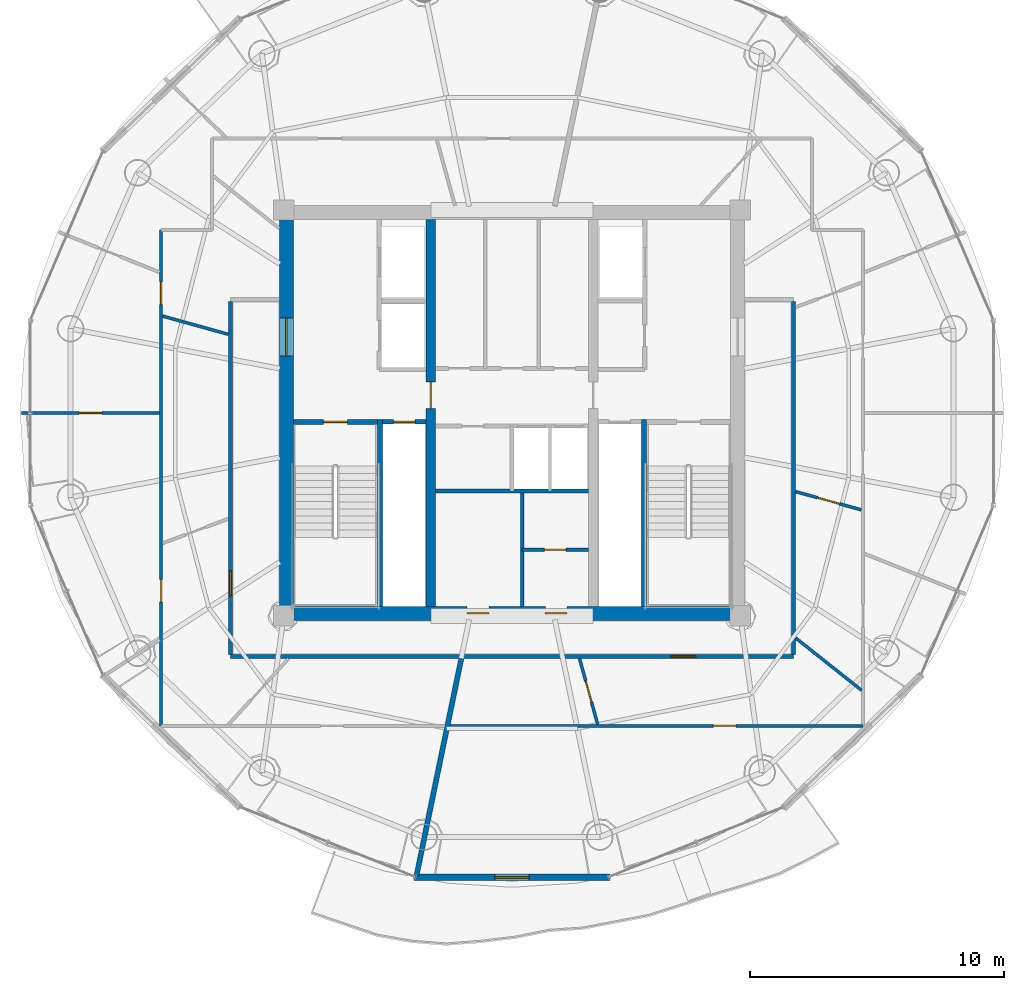
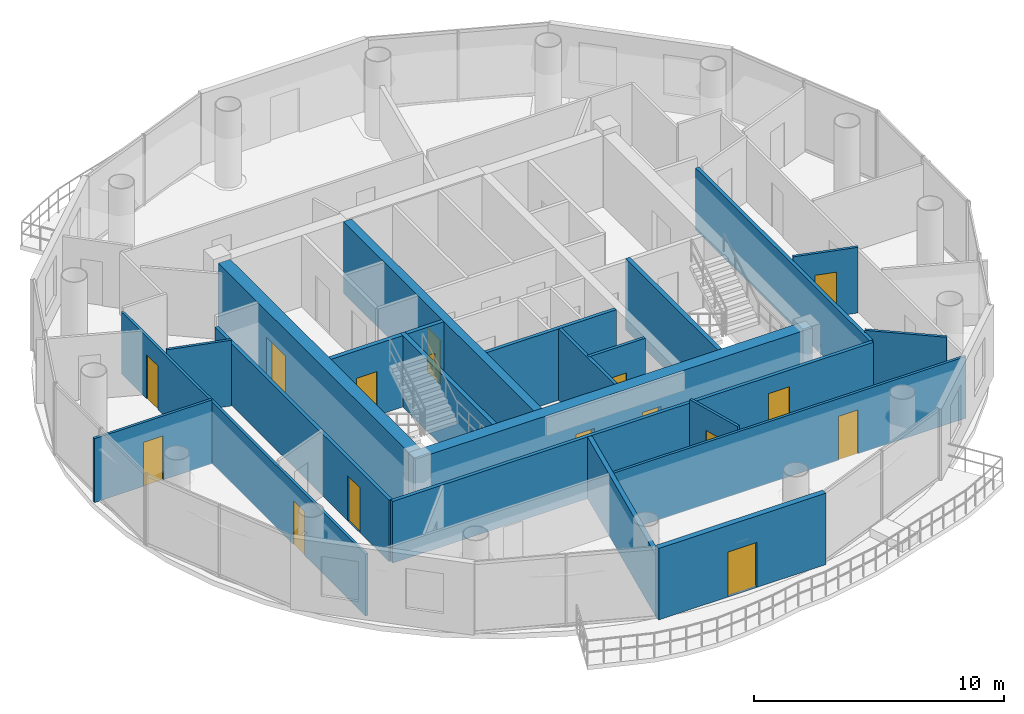
# One storey, part 15 of 22: 22 walls, 16 doors, 16 openings.
"""IFC4 building model written with IfcOpenShell, lengths in metres."""

from ifc_helpers import new_model, si_unit, direction, frame, frame_2d, origin, place, context, subcontext, project, spatial, rectangle, extrude, source, transform, mapped, material, layer, layer_set, type_object, element, fill, save


model = new_model("IFC4")

# Units and contexts
model_context = context("Model", 3, precision=1e-05, world=origin(), true_north=direction((-0.2419218956, 0.970295726276)))
body_context = subcontext(model_context, "Body", "Model", "MODEL_VIEW")
ifc_project = project(units=[si_unit("LENGTHUNIT", "METRE"), si_unit("AREAUNIT", "SQUARE_METRE"), si_unit("VOLUMEUNIT", "CUBIC_METRE"), si_unit("PLANEANGLEUNIT", "RADIAN"), si_unit("MASSUNIT", "GRAM", prefix="KILO")], contexts=[model_context])

# Site, building, storey
site_placement = place(None, origin())
site = spatial("IfcSite", under=ifc_project, at=site_placement, CompositionType="ELEMENT")
building_placement = place(site_placement, origin())
building = spatial("IfcBuilding", under=site, at=building_placement, Name="Cobrevalo Terracotta Tower", CompositionType="ELEMENT")
storey_placement = place(building_placement, frame((0.0, 0.0, 289.449951171875)))
storey = spatial("IfcBuildingStorey", under=building, at=storey_placement, Name="L76", CompositionType="ELEMENT", Elevation=289.449951171875)

# Wall, openings, doors
ifc_material_1 = material(Name="Concrete C50", Category="concrete")
ifc_layer_1 = layer(ifc_material_1, 0.550048828125)
ifc_layer_set_1 = layer_set([ifc_layer_1], Name="Concrete C50")
wall_type_1 = type_object("IfcWallType", Name="Core shear wall 550 mm Concrete C50", PredefinedType="SHEAR", material=ifc_layer_set_1)
wall_1_placement = place(storey_placement, frame((28.824951171875, 18.89990234375, 0.0), z_axis=(0.0, 0.0, 1.0), x_axis=(1.0, 0.0, 0.0)))
wall_1 = element("IfcWall", 1, at=wall_1_placement, inside=storey, type_object=wall_type_1, Name="L76 south core shear wall", PredefinedType="SHEAR", context=body_context, shape_type="SweptSolid", body=[
    extrude(rectangle(XDim=18.35009765625, YDim=0.550048828125, at=frame_2d((9.175048828125, 0.0))), origin(), (0.0, 0.0, 1.0), 3.489990234375),
])
opening_1_placement = place(wall_1_placement, frame((7.409912109375, 0.0, 0.0)))
opening_1 = element("IfcOpeningElement", 2, at=opening_1_placement, cuts=wall_1, Name="Opening ID-22", PredefinedType="OPENING", context=body_context, shape_type="SweptSolid", body=[
    extrude(rectangle(XDim=0.85009765625, YDim=2.10009765625, at=frame_2d((0.425048828125, 1.050048828125))), frame((0.0, 0.28515625, 0.0), z_axis=(0.0, -1.0, 0.0), x_axis=(1.0, 0.0, 0.0)), (0.0, 0.0, 1.0), 0.570068359375),
])
opening_2_placement = place(wall_1_placement, frame((10.489990234375, 0.0, 0.0)))
opening_2 = element("IfcOpeningElement", 3, at=opening_2_placement, cuts=wall_1, Name="Opening ID-22", PredefinedType="OPENING", context=body_context, shape_type="SweptSolid", body=[
    extrude(rectangle(XDim=0.85009765625, YDim=2.10009765625, at=frame_2d((0.425048828125, 1.050048828125))), frame((0.0, 0.28515625, 0.0), z_axis=(0.0, -1.0, 0.0), x_axis=(1.0, 0.0, 0.0)), (0.0, 0.0, 1.0), 0.570068359375),
])
ifc_material_2 = material(Name="Powder-coated steel", Category="steel")
door_type_1 = type_object("IfcDoorType", Name="Riser shaft & meter closet fire access door 850x2100 EI 60", OperationType="NOTDEFINED", PredefinedType="DOOR", material=ifc_material_2)
shared_shape_1 = source(origin(), body_context, "Body", "SweptSolid", [
    extrude(rectangle(XDim=0.85009765625, YDim=2.10009765625, at=frame_2d((0.425048828125, 1.050048828125))), frame((0.0, 0.02490234375, 0.0), z_axis=(0.0, -1.0, 0.0), x_axis=(1.0, 0.0, 0.0)), (0.0, 0.0, 1.0), 0.050048828125),
])
door_1_placement = place(opening_1_placement, origin())
door_1 = element("IfcDoor", 4, at=door_1_placement, inside=storey, type_object=door_type_1, Name="L76 core south plant door Floor AHU Mechanical Plant", OperationType="SINGLE_SWING_RIGHT", OverallHeight=2.10009765625, OverallWidth=0.85009765625, PredefinedType="DOOR", context=body_context, shape_type="MappedRepresentation", body=[
    mapped(shared_shape_1, transform((0.0, 0.0, 0.0), scale=1.0)),
])
fill(opening_1, door_1)
door_2_placement = place(opening_2_placement, origin())
door_2 = element("IfcDoor", 5, at=door_2_placement, inside=storey, type_object=door_type_1, Name="L76 core south plant door Sprinkler Valve Plant", OperationType="SINGLE_SWING_RIGHT", OverallHeight=2.10009765625, OverallWidth=0.85009765625, PredefinedType="DOOR", context=body_context, shape_type="MappedRepresentation", body=[
    mapped(shared_shape_1, transform((0.0, 0.0, 0.0), scale=1.0)),
])
fill(opening_2, door_2)

# Wall, opening, door
wall_2_placement = place(storey_placement, frame((29.10009765625, 19.175048828125, 0.0), z_axis=(0.0, 0.0, 1.0), x_axis=(0.0, 1.0, 0.0)))
wall_2 = element("IfcWall", 6, at=wall_2_placement, inside=storey, type_object=wall_type_1, Name="L76 west core shear wall", PredefinedType="SHEAR", context=body_context, shape_type="SweptSolid", body=[
    extrude(rectangle(XDim=15.25, YDim=0.550048828125, at=frame_2d((7.625, 0.0))), origin(), (0.0, 0.0, 1.0), 3.489990234375),
])
opening_3_placement = place(wall_2_placement, frame((9.875, 0.0, 0.0)))
opening_3 = element("IfcOpeningElement", 7, at=opening_3_placement, cuts=wall_2, Name="Opening ID-14", PredefinedType="OPENING", context=body_context, shape_type="SweptSolid", body=[
    extrude(rectangle(XDim=1.5, YDim=2.199951171875, at=frame_2d((0.75, 1.10009765625))), frame((0.0, 0.28515625, 0.0), z_axis=(0.0, -1.0, 0.0), x_axis=(1.0, 0.0, 0.0)), (0.0, 0.0, 1.0), 0.570068359375),
])
ifc_material_3 = material(Name="Galvanized fire-rated steel", Category="steel")
door_type_2 = type_object("IfcDoorType", Name="Core cross-lobby double fire door 1500x2200 EI 90", OperationType="NOTDEFINED", PredefinedType="DOOR", material=ifc_material_3)
shared_shape_2 = source(origin(), body_context, "Body", "SweptSolid", [
    extrude(rectangle(XDim=1.5, YDim=2.199951171875, at=frame_2d((0.75, 1.10009765625))), frame((0.0, 0.02490234375, 0.0), z_axis=(0.0, -1.0, 0.0), x_axis=(1.0, 0.0, 0.0)), (0.0, 0.0, 1.0), 0.050048828125),
])
door_3_placement = place(opening_3_placement, origin())
door_3 = element("IfcDoor", 8, at=door_3_placement, inside=storey, type_object=door_type_2, Name="L76 west firefighting lobby entrance door", OperationType="DOUBLE_DOOR_SINGLE_SWING", OverallHeight=2.199951171875, OverallWidth=1.5, PredefinedType="DOOR", context=body_context, shape_type="MappedRepresentation", body=[
    mapped(shared_shape_2, transform((0.0, 0.0, 0.0), scale=1.0)),
])
fill(opening_3, door_3)

# Wall
ifc_material_4 = material(Name="Gypsum board on steel stud", Category="steel")
ifc_layer_2 = layer(ifc_material_4, 0.159912109375)
ifc_layer_set_2 = layer_set([ifc_layer_2], Name="Gypsum board on steel stud")
wall_type_2 = type_object("IfcWallType", Name="Fire-rated corridor acoustic partition wall 160 mm", PredefinedType="PARTITIONING", material=ifc_layer_set_2)
wall_3_placement = place(storey_placement, frame((34.989990234375, 23.719970703125, 0.0), z_axis=(0.0, 0.0, 1.0), x_axis=(1.0, 0.0, 0.0)))
element("IfcWall", 9, at=wall_3_placement, inside=storey, type_object=wall_type_2, Name="L76 interior partition IW-L76-MB-S", PredefinedType="PARTITIONING", context=body_context, shape_type="SweptSolid", body=[
    extrude(rectangle(XDim=6.02001953125, YDim=0.159912109375, at=frame_2d((3.010009765625, 0.0))), origin(), (0.0, 0.0, 1.0), 3.489990234375),
])

# Wall, opening, door
wall_4_placement = place(storey_placement, frame((26.89501953125, 17.195068359375, 0.0), z_axis=(0.0, 0.0, 1.0), x_axis=(1.0, 0.0, 0.0)))
wall_4 = element("IfcWall", 10, at=wall_4_placement, inside=storey, type_object=wall_type_2, Name="L76 interior partition IW-L76-COR-S", PredefinedType="PARTITIONING", context=body_context, shape_type="SweptSolid", body=[
    extrude(rectangle(XDim=22.2099609375, YDim=0.159912109375, at=frame_2d((11.10498046875, 0.0))), origin(), (0.0, 0.0, 1.0), 3.01513671875),
])
opening_4_placement = place(wall_4_placement, frame((17.365478515625, 0.0, 0.0)))
opening_4 = element("IfcOpeningElement", 11, at=opening_4_placement, cuts=wall_4, Name="Opening ID-05", PredefinedType="OPENING", context=body_context, shape_type="SweptSolid", body=[
    extrude(rectangle(XDim=0.97998046875, YDim=2.199951171875, at=frame_2d((0.489990234375, 1.10009765625))), frame((0.0, 0.08984375, 0.0), z_axis=(0.0, -1.0, 0.0), x_axis=(1.0, 0.0, 0.0)), (0.0, 0.0, 1.0), 0.179931640625),
])
ifc_material_5 = material(Name="Solid hardwood timber", Category="wood")
door_type_3 = type_object("IfcDoorType", Name="Residence entrance fire-rated acoustic timber door 980x2200 EI 60", OperationType="NOTDEFINED", PredefinedType="DOOR", material=ifc_material_5)
shared_shape_3 = source(origin(), body_context, "Body", "SweptSolid", [
    extrude(rectangle(XDim=0.97998046875, YDim=2.199951171875, at=frame_2d((0.489990234375, 1.10009765625))), frame((0.0, 0.02490234375, 0.0), z_axis=(0.0, -1.0, 0.0), x_axis=(1.0, 0.0, 0.0)), (0.0, 0.0, 1.0), 0.050048828125),
])
door_4_placement = place(opening_4_placement, frame((0.97998046875, 0.0, 0.0), z_axis=(0.0, 0.0, 1.0), x_axis=(-1.0, 0.0, 0.0)))
door_4 = element("IfcDoor", 12, at=door_4_placement, inside=storey, type_object=door_type_3, Name="Flat L76B fire-rated apartment entrance door", OperationType="SINGLE_SWING_LEFT", OverallHeight=2.199951171875, OverallWidth=0.97998046875, PredefinedType="DOOR", context=body_context, shape_type="MappedRepresentation", body=[
    mapped(shared_shape_3, transform((0.0, 0.0, 0.0), scale=1.0)),
])
fill(opening_4, door_4)

wall_5_placement = place(storey_placement, frame((26.89501953125, 17.27490234375, 0.0), z_axis=(0.0, 0.0, 1.0), x_axis=(0.0, 1.0, 0.0)))
wall_5 = element("IfcWall", 13, at=wall_5_placement, inside=storey, type_object=wall_type_2, Name="L76 interior partition IW-L76-COR-W", PredefinedType="PARTITIONING", context=body_context, shape_type="SweptSolid", body=[
    extrude(rectangle(XDim=13.925048828125, YDim=0.159912109375, at=frame_2d((6.96240234375, 0.0))), origin(), (0.0, 0.0, 1.0), 3.01513671875),
])
opening_5_placement = place(wall_5_placement, frame((2.321044921875, 0.0, 0.0)))
opening_5 = element("IfcOpeningElement", 14, at=opening_5_placement, cuts=wall_5, Name="Opening ID-05", PredefinedType="OPENING", context=body_context, shape_type="SweptSolid", body=[
    extrude(rectangle(XDim=0.97998046875, YDim=2.199951171875, at=frame_2d((0.489990234375, 1.10009765625))), frame((0.0, 0.08984375, 0.0), z_axis=(0.0, -1.0, 0.0), x_axis=(1.0, 0.0, 0.0)), (0.0, 0.0, 1.0), 0.179931640625),
])
door_5_placement = place(opening_5_placement, origin())
door_5 = element("IfcDoor", 15, at=door_5_placement, inside=storey, type_object=door_type_3, Name="Flat L76A fire-rated apartment entrance door", OperationType="SINGLE_SWING_RIGHT", OverallHeight=2.199951171875, OverallWidth=0.97998046875, PredefinedType="DOOR", context=body_context, shape_type="MappedRepresentation", body=[
    mapped(shared_shape_3, transform((0.0, 0.0, 0.0), scale=1.0)),
])
fill(opening_5, door_5)

# Wall
wall_6_placement = place(storey_placement, frame((49.10498046875, 17.27490234375, 0.0), z_axis=(0.0, 0.0, 1.0), x_axis=(0.0, 1.0, 0.0)))
element("IfcWall", 16, at=wall_6_placement, inside=storey, type_object=wall_type_2, Name="L76 interior partition IW-L76-COR-E", PredefinedType="PARTITIONING", context=body_context, shape_type="SweptSolid", body=[
    extrude(rectangle(XDim=13.925048828125, YDim=0.159912109375, at=frame_2d((6.96240234375, 0.0))), origin(), (0.0, 0.0, 1.0), 3.01513671875),
])

# Wall, opening, door
ifc_layer_3 = layer(ifc_material_4, 0.179931640625)
ifc_layer_set_3 = layer_set([ifc_layer_3], Name="Gypsum board on steel stud")
wall_type_3 = type_object("IfcWallType", Name="Fire-rated shaft & lobby acoustic partition wall 180 mm", PredefinedType="PARTITIONING", material=ifc_layer_set_3)
wall_7_placement = place(storey_placement, frame((32.89990234375, 26.449951171875, 0.0), z_axis=(0.0, 0.0, 1.0), x_axis=(1.0, 0.0, 0.0)))
wall_7 = element("IfcWall", 17, at=wall_7_placement, inside=storey, type_object=wall_type_3, Name="L76 interior partition IW-L76-RSW-N", PredefinedType="PARTITIONING", context=body_context, shape_type="SweptSolid", body=[
    extrude(rectangle(XDim=1.710205078125, YDim=0.179931640625, at=frame_2d((0.85498046875, 0.0))), origin(), (0.0, 0.0, 1.0), 3.489990234375),
])
opening_6_placement = place(wall_7_placement, frame((0.429931640625, 0.0, 0.0)))
opening_6 = element("IfcOpeningElement", 18, at=opening_6_placement, cuts=wall_7, Name="Opening ID-22", PredefinedType="OPENING", context=body_context, shape_type="SweptSolid", body=[
    extrude(rectangle(XDim=0.85009765625, YDim=2.10009765625, at=frame_2d((0.425048828125, 1.050048828125))), frame((0.0, 0.10009765625, 0.0), z_axis=(0.0, -1.0, 0.0), x_axis=(1.0, 0.0, 0.0)), (0.0, 0.0, 1.0), 0.199951171875),
])
door_6_placement = place(opening_6_placement, origin())
door_6 = element("IfcDoor", 19, at=door_6_placement, inside=storey, type_object=door_type_1, Name="L76 riser access door RSW", OperationType="SINGLE_SWING_LEFT", OverallHeight=2.10009765625, OverallWidth=0.85009765625, PredefinedType="DOOR", context=body_context, shape_type="MappedRepresentation", body=[
    mapped(shared_shape_1, transform((0.0, 0.0, 0.0), scale=1.0)),
])
fill(opening_6, door_6)

# Wall
ifc_material_6 = material(Name="Autoclaved aerated concrete block", Category="concrete")
ifc_layer_4 = layer(ifc_material_6, 0.199951171875)
ifc_layer_set_4 = layer_set([ifc_layer_4], Name="Autoclaved aerated concrete block")
wall_type_4 = type_object("IfcWallType", Name="Fire-rated stair, shaft & demising masonry wall 200 mm", PredefinedType="PARTITIONING", material=ifc_layer_set_4)
wall_8_placement = place(storey_placement, frame((36.00146484375, 17.114990234375, 0.0), z_axis=(0.0, 0.0, 1.0), x_axis=(-0.202108543081, -0.979363128167, 0.0)))
element("IfcWall", 20, at=wall_8_placement, inside=storey, type_object=wall_type_4, Name="L76 interior partition IW-L76-DEM-2", PredefinedType="PARTITIONING", context=body_context, shape_type="SweptSolid", body=[
    extrude(rectangle(XDim=8.738525390625, YDim=0.199951171875, at=frame_2d((4.369140625, 0.0))), origin(), (0.0, 0.0, 1.0), 3.01513671875),
])

# Wall, opening, door
ifc_layer_5 = layer(ifc_material_1, 0.3798828125)
ifc_layer_set_5 = layer_set([ifc_layer_5], Name="Concrete C50")
wall_type_5 = type_object("IfcWallType", Name="Internal core shear web wall 380 mm Concrete C50", PredefinedType="SHEAR", material=ifc_layer_set_5)
wall_9_placement = place(storey_placement, frame((34.800048828125, 19.175048828125, 0.0), z_axis=(0.0, 0.0, 1.0), x_axis=(0.0, 1.0, 0.0)))
wall_9 = element("IfcWall", 21, at=wall_9_placement, inside=storey, type_object=wall_type_5, Name="L76 internal core shear wall WEB-W", PredefinedType="SHEAR", context=body_context, shape_type="SweptSolid", body=[
    extrude(rectangle(XDim=15.25, YDim=0.3798828125, at=frame_2d((7.625, 0.0))), origin(), (0.0, 0.0, 1.0), 3.489990234375),
])
opening_7_placement = place(wall_9_placement, frame((7.800048828125, 0.0, 0.0)))
opening_7 = element("IfcOpeningElement", 22, at=opening_7_placement, cuts=wall_9, Name="Opening ID-11", PredefinedType="OPENING", context=body_context, shape_type="SweptSolid", body=[
    extrude(rectangle(XDim=1.050048828125, YDim=2.14990234375, at=frame_2d((0.52490234375, 1.074951171875))), frame((0.0, 0.199951171875, 0.0), z_axis=(0.0, -1.0, 0.0), x_axis=(1.0, 0.0, 0.0)), (0.0, 0.0, 1.0), 0.39990234375),
])
door_type_4 = type_object("IfcDoorType", Name="Core concourse cross fire door 1050x2150 EI 90", OperationType="NOTDEFINED", PredefinedType="DOOR", material=ifc_material_3)
shared_shape_4 = source(origin(), body_context, "Body", "SweptSolid", [
    extrude(rectangle(XDim=1.050048828125, YDim=2.14990234375, at=frame_2d((0.52490234375, 1.074951171875))), frame((0.0, 0.02490234375, 0.0), z_axis=(0.0, -1.0, 0.0), x_axis=(1.0, 0.0, 0.0)), (0.0, 0.0, 1.0), 0.050048828125),
])
door_7_placement = place(opening_7_placement, origin())
door_7 = element("IfcDoor", 23, at=door_7_placement, inside=storey, type_object=door_type_4, Name="L76 west core concourse cross door", OperationType="SINGLE_SWING_LEFT", OverallHeight=2.14990234375, OverallWidth=1.050048828125, PredefinedType="DOOR", context=body_context, shape_type="MappedRepresentation", body=[
    mapped(shared_shape_4, transform((0.0, 0.0, 0.0), scale=1.0)),
])
fill(opening_7, door_7)

# Wall
ifc_layer_6 = layer(ifc_material_6, 0.139892578125)
ifc_layer_set_6 = layer_set([ifc_layer_6], Name="Autoclaved aerated concrete block")
wall_type_6 = type_object("IfcWallType", Name="Moisture-resistant wet-room & core service partition 140 mm", PredefinedType="PARTITIONING", material=ifc_layer_set_6)
wall_10_placement = place(storey_placement, frame((38.39990234375, 19.175048828125, 0.0), z_axis=(0.0, 0.0, 1.0), x_axis=(0.0, 1.0, 0.0)))
element("IfcWall", 24, at=wall_10_placement, inside=storey, type_object=wall_type_6, Name="L76 interior partition IW-L76-KVS-L1", PredefinedType="PARTITIONING", context=body_context, shape_type="SweptSolid", body=[
    extrude(rectangle(XDim=4.46484375, YDim=0.139892578125, at=frame_2d((2.232421875, 0.0))), origin(), (0.0, 0.0, 1.0), 3.489990234375),
])

# Wall, opening, door
wall_11_placement = place(storey_placement, frame((38.39990234375, 21.407470703125, 0.0), z_axis=(0.0, 0.0, 1.0), x_axis=(1.0, 0.0, 0.0)))
wall_11 = element("IfcWall", 25, at=wall_11_placement, inside=storey, type_object=wall_type_6, Name="L76 interior partition IW-L76-KVS-L2", PredefinedType="PARTITIONING", context=body_context, shape_type="SweptSolid", body=[
    extrude(rectangle(XDim=2.610107421875, YDim=0.139892578125, at=frame_2d((1.30517578125, 0.0))), origin(), (0.0, 0.0, 1.0), 3.489990234375),
])
opening_8_placement = place(wall_11_placement, frame((0.8798828125, 0.0, 0.0)))
opening_8 = element("IfcOpeningElement", 26, at=opening_8_placement, cuts=wall_11, Name="Opening ID-22", PredefinedType="OPENING", context=body_context, shape_type="SweptSolid", body=[
    extrude(rectangle(XDim=0.85009765625, YDim=2.10009765625, at=frame_2d((0.425048828125, 1.050048828125))), frame((0.0, 0.080078125, 0.0), z_axis=(0.0, -1.0, 0.0), x_axis=(1.0, 0.0, 0.0)), (0.0, 0.0, 1.0), 0.159912109375),
])
door_8_placement = place(opening_8_placement, origin())
door_8 = element("IfcDoor", 27, at=door_8_placement, inside=storey, type_object=door_type_1, Name="L76 core KVS-L2 inner door", OperationType="SINGLE_SWING_LEFT", OverallHeight=2.10009765625, OverallWidth=0.85009765625, PredefinedType="DOOR", context=body_context, shape_type="MappedRepresentation", body=[
    mapped(shared_shape_1, transform((0.0, 0.0, 0.0), scale=1.0)),
])
fill(opening_8, door_8)

ifc_layer_7 = layer(ifc_material_6, 0.260009765625)
ifc_layer_set_7 = layer_set([ifc_layer_7], Name="Autoclaved aerated concrete block")
wall_type_7 = type_object("IfcWallType", Name="Recessed balcony loggia insulated exterior wall 260 mm", PredefinedType="SOLIDWALL", material=ifc_layer_set_7)
wall_12_placement = place(storey_placement, frame((34.14111328125, 8.48876953125, 0.0), z_axis=(0.0, 0.0, 1.0), x_axis=(1.0, 0.0, 0.0)))
wall_12 = element("IfcWall", 28, at=wall_12_placement, inside=storey, type_object=wall_type_7, Name="L76 balcony loggia wall S12", PredefinedType="SOLIDWALL", context=body_context, shape_type="SweptSolid", body=[
    extrude(rectangle(XDim=7.7177734375, YDim=0.260009765625, at=frame_2d((3.85888671875, 0.0))), origin(), (0.0, 0.0, 1.0), 3.489990234375),
])
opening_9_placement = place(wall_12_placement, frame((3.183837890625, 0.0, 0.0)))
opening_9 = element("IfcOpeningElement", 29, at=opening_9_placement, cuts=wall_12, Name="Opening ED-05", PredefinedType="OPENING", context=body_context, shape_type="SweptSolid", body=[
    extrude(rectangle(XDim=1.35009765625, YDim=2.199951171875, at=frame_2d((0.675048828125, 1.10009765625))), frame((0.0, 0.14013671875, 0.0), z_axis=(0.0, -1.0, 0.0), x_axis=(1.0, 0.0, 0.0)), (0.0, 0.0, 1.0), 0.280029296875),
])
ifc_material_7 = material(Name="Anodized aluminium and laminated glass", Category="aluminium")
door_type_5 = type_object("IfcDoorType", Name="Suite balcony acoustic glazed terrace door 1350x2200", OperationType="NOTDEFINED", PredefinedType="DOOR", material=ifc_material_7)
shared_shape_5 = source(origin(), body_context, "Body", "SweptSolid", [
    extrude(rectangle(XDim=1.35009765625, YDim=2.199951171875, at=frame_2d((0.675048828125, 1.10009765625))), frame((0.0, 0.02490234375, 0.0), z_axis=(0.0, -1.0, 0.0), x_axis=(1.0, 0.0, 0.0)), (0.0, 0.0, 1.0), 0.050048828125),
])
door_9_placement = place(opening_9_placement, frame((1.35009765625, 0.0, 0.0), z_axis=(0.0, 0.0, 1.0), x_axis=(-1.0, 0.0, 0.0)))
door_9 = element("IfcDoor", 30, at=door_9_placement, inside=storey, type_object=door_type_5, Name="L76 glazed balcony terrace door 2", OperationType="SINGLE_SWING_RIGHT", OverallHeight=2.199951171875, OverallWidth=1.35009765625, PredefinedType="DOOR", context=body_context, shape_type="MappedRepresentation", body=[
    mapped(shared_shape_5, transform((0.0, 0.0, 0.0), scale=1.0)),
])
fill(opening_9, door_9)

# Wall, openings, doors
ifc_layer_8 = layer(ifc_material_4, 0.1201171875)
ifc_layer_set_8 = layer_set([ifc_layer_8], Name="Gypsum board on steel stud")
wall_type_8 = type_object("IfcWallType", Name="Residential internal acoustic stud partition 120 mm", PredefinedType="PARTITIONING", material=ifc_layer_set_8)
wall_13_placement = place(storey_placement, frame((24.1650390625, 14.465087890625, 0.0), z_axis=(0.0, 0.0, 1.0), x_axis=(0.0, 1.0, 0.0)))
wall_13 = element("IfcWall", 31, at=wall_13_placement, inside=storey, type_object=wall_type_8, Name="L76 interior partition IW-L76-U1-RING1_0", PredefinedType="PARTITIONING", context=body_context, shape_type="SweptSolid", body=[
    extrude(rectangle(XDim=19.544921875, YDim=0.1201171875, at=frame_2d((9.7724609375, 0.0))), origin(), (0.0, 0.0, 1.0), 3.01513671875),
])
opening_10_placement = place(wall_13_placement, frame((4.87548828125, 0.0, 0.0)))
opening_10 = element("IfcOpeningElement", 32, at=opening_10_placement, cuts=wall_13, Name="Opening ID-12", PredefinedType="OPENING", context=body_context, shape_type="SweptSolid", body=[
    extrude(rectangle(XDim=0.89990234375, YDim=2.14990234375, at=frame_2d((0.449951171875, 1.074951171875))), frame((0.0, 0.070068359375, 0.0), z_axis=(0.0, -1.0, 0.0), x_axis=(1.0, 0.0, 0.0)), (0.0, 0.0, 1.0), 0.14013671875),
])
opening_11_placement = place(wall_13_placement, frame((16.60986328125, 0.0, 0.0)))
opening_11 = element("IfcOpeningElement", 33, at=opening_11_placement, cuts=wall_13, Name="Opening ID-12", PredefinedType="OPENING", context=body_context, shape_type="SweptSolid", body=[
    extrude(rectangle(XDim=0.89990234375, YDim=2.14990234375, at=frame_2d((0.449951171875, 1.074951171875))), frame((0.0, 0.070068359375, 0.0), z_axis=(0.0, -1.0, 0.0), x_axis=(1.0, 0.0, 0.0)), (0.0, 0.0, 1.0), 0.14013671875),
])
ifc_material_8 = material(Name="Engineered timber", Category="wood")
door_type_6 = type_object("IfcDoorType", Name="Internal residence & suite timber door 900x2150", OperationType="NOTDEFINED", PredefinedType="DOOR", material=ifc_material_8)
shared_shape_6 = source(origin(), body_context, "Body", "SweptSolid", [
    extrude(rectangle(XDim=0.89990234375, YDim=2.14990234375, at=frame_2d((0.449951171875, 1.074951171875))), frame((0.0, 0.02490234375, 0.0), z_axis=(0.0, -1.0, 0.0), x_axis=(1.0, 0.0, 0.0)), (0.0, 0.0, 1.0), 0.050048828125),
])
door_10_placement = place(opening_10_placement, origin())
door_10 = element("IfcDoor", 34, at=door_10_placement, inside=storey, type_object=door_type_6, Name="Flat L76A Penthouse Family Lounge internal door", OperationType="SINGLE_SWING_LEFT", OverallHeight=2.14990234375, OverallWidth=0.89990234375, PredefinedType="DOOR", context=body_context, shape_type="MappedRepresentation", body=[
    mapped(shared_shape_6, transform((0.0, 0.0, 0.0), scale=1.0)),
])
fill(opening_10, door_10)
door_11_placement = place(opening_11_placement, frame((0.89990234375, 0.0, 0.0), z_axis=(0.0, 0.0, 1.0), x_axis=(-1.0, 0.0, 0.0)))
door_11 = element("IfcDoor", 35, at=door_11_placement, inside=storey, type_object=door_type_6, Name="Flat L76A Private Library Meeting Room internal door", OperationType="SINGLE_SWING_RIGHT", OverallHeight=2.14990234375, OverallWidth=0.89990234375, PredefinedType="DOOR", context=body_context, shape_type="MappedRepresentation", body=[
    mapped(shared_shape_6, transform((0.0, 0.0, 0.0), scale=1.0)),
])
fill(opening_11, door_11)

# Wall, opening, door
wall_14_placement = place(storey_placement, frame((24.10302734375, 26.800048828125, 0.0), z_axis=(0.0, 0.0, 1.0), x_axis=(-1.0, 0.0, 0.0)))
wall_14 = element("IfcWall", 36, at=wall_14_placement, inside=storey, type_object=wall_type_8, Name="L76 interior partition IW-L76-U1-ORAD2", PredefinedType="PARTITIONING", context=body_context, shape_type="SweptSolid", body=[
    extrude(rectangle(XDim=5.443115234375, YDim=0.1201171875, at=frame_2d((2.7216796875, 0.0))), origin(), (0.0, 0.0, 1.0), 3.12109375),
])
opening_12_placement = place(wall_14_placement, frame((2.271484375, 0.0, 0.0)))
opening_12 = element("IfcOpeningElement", 37, at=opening_12_placement, cuts=wall_14, Name="Opening ID-12", PredefinedType="OPENING", context=body_context, shape_type="SweptSolid", body=[
    extrude(rectangle(XDim=0.89990234375, YDim=2.14990234375, at=frame_2d((0.449951171875, 1.074951171875))), frame((0.0, 0.070068359375, 0.0), z_axis=(0.0, -1.0, 0.0), x_axis=(1.0, 0.0, 0.0)), (0.0, 0.0, 1.0), 0.14013671875),
])
door_12_placement = place(opening_12_placement, frame((0.89990234375, 0.0, 0.0), z_axis=(0.0, 0.0, 1.0), x_axis=(-1.0, 0.0, 0.0)))
door_12 = element("IfcDoor", 38, at=door_12_placement, inside=storey, type_object=door_type_6, Name="Flat L76A Principal Guest Bedroom internal door", OperationType="SINGLE_SWING_LEFT", OverallHeight=2.14990234375, OverallWidth=0.89990234375, PredefinedType="DOOR", context=body_context, shape_type="MappedRepresentation", body=[
    mapped(shared_shape_6, transform((0.0, 0.0, 0.0), scale=1.0)),
])
fill(opening_12, door_12)

# Wall
wall_15_placement = place(storey_placement, frame((26.81494140625, 29.901611328125, 0.0), z_axis=(0.0, 0.0, 1.0), x_axis=(-0.963610243268, 0.267311240073, 0.0)))
element("IfcWall", 39, at=wall_15_placement, inside=storey, type_object=wall_type_8, Name="L76 interior partition IW-L76-U1-IRAD3", PredefinedType="PARTITIONING", context=body_context, shape_type="SweptSolid", body=[
    extrude(rectangle(XDim=2.68798828125, YDim=0.1201171875, at=frame_2d((1.343994140625, 0.0))), origin(), (0.0, 0.0, 1.0), 3.208984375),
])

# Wall, opening, door
wall_16_placement = place(storey_placement, frame((51.8349609375, 14.465087890625, 0.0), z_axis=(0.0, 0.0, 1.0), x_axis=(-1.0, 0.0, 0.0)))
wall_16 = element("IfcWall", 40, at=wall_16_placement, inside=storey, type_object=wall_type_8, Name="L76 interior partition IW-L76-U2-RING4_0", PredefinedType="PARTITIONING", context=body_context, shape_type="SweptSolid", body=[
    extrude(rectangle(XDim=16.2783203125, YDim=0.1201171875, at=frame_2d((8.13916015625, 0.0))), origin(), (0.0, 0.0, 1.0), 3.01513671875),
])
opening_13_placement = place(wall_16_placement, frame((4.99560546875, 0.0, 0.0)))
opening_13 = element("IfcOpeningElement", 41, at=opening_13_placement, cuts=wall_16, Name="Opening ID-12", PredefinedType="OPENING", context=body_context, shape_type="SweptSolid", body=[
    extrude(rectangle(XDim=0.89990234375, YDim=2.14990234375, at=frame_2d((0.449951171875, 1.074951171875))), frame((0.0, 0.070068359375, 0.0), z_axis=(0.0, -1.0, 0.0), x_axis=(1.0, 0.0, 0.0)), (0.0, 0.0, 1.0), 0.14013671875),
])
door_13_placement = place(opening_13_placement, frame((0.89990234375, 0.0, 0.0), z_axis=(0.0, 0.0, 1.0), x_axis=(-1.0, 0.0, 0.0)))
door_13 = element("IfcDoor", 42, at=door_13_placement, inside=storey, type_object=door_type_6, Name="Flat L76B Penthouse Living and Dining Room internal door", OperationType="SINGLE_SWING_LEFT", OverallHeight=2.14990234375, OverallWidth=0.89990234375, PredefinedType="DOOR", context=body_context, shape_type="MappedRepresentation", body=[
    mapped(shared_shape_6, transform((0.0, 0.0, 0.0), scale=1.0)),
])
fill(opening_13, door_13)

wall_17_placement = place(storey_placement, frame((40.6640625, 17.114990234375, 0.0), z_axis=(0.0, 0.0, 1.0), x_axis=(0.265177604745, -0.964199584081, 0.0)))
wall_17 = element("IfcWall", 43, at=wall_17_placement, inside=storey, type_object=wall_type_8, Name="L76 interior partition IW-L76-U2-IRAD1", PredefinedType="PARTITIONING", context=body_context, shape_type="SweptSolid", body=[
    extrude(rectangle(XDim=2.6865234375, YDim=0.1201171875, at=frame_2d((1.34326171875, 0.0))), origin(), (0.0, 0.0, 1.0), 3.208984375),
])
opening_14_placement = place(wall_17_placement, frame((0.9130859375, 0.0, 0.0)))
opening_14 = element("IfcOpeningElement", 44, at=opening_14_placement, cuts=wall_17, Name="Opening ID-19", PredefinedType="OPENING", context=body_context, shape_type="SweptSolid", body=[
    extrude(rectangle(XDim=0.860107421875, YDim=2.14990234375, at=frame_2d((0.43017578125, 1.074951171875))), frame((0.0, 0.070068359375, 0.0), z_axis=(0.0, -1.0, 0.0), x_axis=(1.0, 0.0, 0.0)), (0.0, 0.0, 1.0), 0.14013671875),
])
ifc_material_9 = material(Name="Moisture-sealed timber", Category="wood")
door_type_7 = type_object("IfcDoorType", Name="Suite bathroom internal timber door 860x2150", OperationType="NOTDEFINED", PredefinedType="DOOR", material=ifc_material_9)
shared_shape_7 = source(origin(), body_context, "Body", "SweptSolid", [
    extrude(rectangle(XDim=0.860107421875, YDim=2.14990234375, at=frame_2d((0.43017578125, 1.074951171875))), frame((0.0, 0.02490234375, 0.0), z_axis=(0.0, -1.0, 0.0), x_axis=(1.0, 0.0, 0.0)), (0.0, 0.0, 1.0), 0.050048828125),
])
door_14_placement = place(opening_14_placement, frame((0.860107421875, 0.0, 0.0), z_axis=(0.0, 0.0, 1.0), x_axis=(-1.0, 0.0, 0.0)))
door_14 = element("IfcDoor", 45, at=door_14_placement, inside=storey, type_object=door_type_7, Name="Flat L76B Primary Bathroom internal door", OperationType="SINGLE_SWING_RIGHT", OverallHeight=2.14990234375, OverallWidth=0.860107421875, PredefinedType="DOOR", context=body_context, shape_type="MappedRepresentation", body=[
    mapped(shared_shape_7, transform((0.0, 0.0, 0.0), scale=1.0)),
])
fill(opening_14, door_14)

# Wall
wall_18_placement = place(storey_placement, frame((49.18505859375, 17.92822265625, 0.0), z_axis=(0.0, 0.0, 1.0), x_axis=(0.78348039615, -0.621416501912, 0.0)))
element("IfcWall", 46, at=wall_18_placement, inside=storey, type_object=wall_type_8, Name="L76 interior partition IW-L76-U2-IRAD2", PredefinedType="PARTITIONING", context=body_context, shape_type="SweptSolid", body=[
    extrude(rectangle(XDim=3.3203125, YDim=0.1201171875, at=frame_2d((1.66015625, 0.0))), origin(), (0.0, 0.0, 1.0), 3.12109375),
])

# Wall, opening, door
wall_19_placement = place(storey_placement, frame((49.18505859375, 23.6982421875, 0.0), z_axis=(0.0, 0.0, 1.0), x_axis=(0.963633636359, -0.267226897744, 0.0)))
wall_19 = element("IfcWall", 47, at=wall_19_placement, inside=storey, type_object=wall_type_8, Name="L76 interior partition IW-L76-U2-IRAD3", PredefinedType="PARTITIONING", context=body_context, shape_type="SweptSolid", body=[
    extrude(rectangle(XDim=2.687744140625, YDim=0.1201171875, at=frame_2d((1.34375, 0.0))), origin(), (0.0, 0.0, 1.0), 3.208984375),
])
opening_15_placement = place(wall_19_placement, frame((0.89404296875, 0.0, 0.0)))
opening_15 = element("IfcOpeningElement", 48, at=opening_15_placement, cuts=wall_19, Name="Opening ID-12", PredefinedType="OPENING", context=body_context, shape_type="SweptSolid", body=[
    extrude(rectangle(XDim=0.89990234375, YDim=2.14990234375, at=frame_2d((0.449951171875, 1.074951171875))), frame((0.0, 0.070068359375, 0.0), z_axis=(0.0, -1.0, 0.0), x_axis=(1.0, 0.0, 0.0)), (0.0, 0.0, 1.0), 0.14013671875),
])
door_15_placement = place(opening_15_placement, origin())
door_15 = element("IfcDoor", 49, at=door_15_placement, inside=storey, type_object=door_type_6, Name="Flat L76B Private Library Meeting Room internal door", OperationType="SINGLE_SWING_LEFT", OverallHeight=2.14990234375, OverallWidth=0.89990234375, PredefinedType="DOOR", context=body_context, shape_type="MappedRepresentation", body=[
    mapped(shared_shape_6, transform((0.0, 0.0, 0.0), scale=1.0)),
])
fill(opening_15, door_15)

# Wall
ifc_layer_9 = layer(ifc_material_1, 0.199951171875)
ifc_layer_set_9 = layer_set([ifc_layer_9], Name="Concrete C50")
wall_type_9 = type_object("IfcWallType", Name="Structural core & podium stair-shaft RC wall 200 mm Concrete C50", PredefinedType="SOLIDWALL", material=ifc_layer_set_9)
wall_20_placement = place(storey_placement, frame((32.794921875, 19.175048828125, 0.0), z_axis=(0.0, 0.0, 1.0), x_axis=(0.0, 1.0, 0.0)))
element("IfcWall", 50, at=wall_20_placement, inside=storey, type_object=wall_type_9, Name="L76 ST-1 east structural shaft wall", PredefinedType="SOLIDWALL", context=body_context, shape_type="SweptSolid", body=[
    extrude(rectangle(XDim=7.375, YDim=0.199951171875, at=frame_2d((3.6875, 0.0))), origin(), (0.0, 0.0, 1.0), 3.489990234375),
])

# Wall, opening, door
wall_21_placement = place(storey_placement, frame((29.375, 26.449951171875, 0.0), z_axis=(0.0, 0.0, 1.0), x_axis=(1.0, 0.0, 0.0)))
wall_21 = element("IfcWall", 51, at=wall_21_placement, inside=storey, type_object=wall_type_9, Name="L76 ST-1 north structural shaft wall", PredefinedType="SOLIDWALL", context=body_context, shape_type="SweptSolid", body=[
    extrude(rectangle(XDim=3.320068359375, YDim=0.199951171875, at=frame_2d((1.66015625, 0.0))), origin(), (0.0, 0.0, 1.0), 3.489990234375),
])
opening_16_placement = place(wall_21_placement, frame((1.18505859375, 0.0, 0.0)))
opening_16 = element("IfcOpeningElement", 52, at=opening_16_placement, cuts=wall_21, Name="Opening ID-04", PredefinedType="OPENING", context=body_context, shape_type="SweptSolid", body=[
    extrude(rectangle(XDim=0.949951171875, YDim=2.14990234375, at=frame_2d((0.47509765625, 1.074951171875))), frame((0.0, 0.10986328125, 0.0), z_axis=(0.0, -1.0, 0.0), x_axis=(1.0, 0.0, 0.0)), (0.0, 0.0, 1.0), 0.219970703125),
])
door_type_8 = type_object("IfcDoorType", Name="Stair & firefighting lobby fire door 950x2150 EI 90", OperationType="NOTDEFINED", PredefinedType="DOOR", material=ifc_material_3)
shared_shape_8 = source(origin(), body_context, "Body", "SweptSolid", [
    extrude(rectangle(XDim=0.949951171875, YDim=2.14990234375, at=frame_2d((0.47509765625, 1.074951171875))), frame((0.0, 0.02490234375, 0.0), z_axis=(0.0, -1.0, 0.0), x_axis=(1.0, 0.0, 0.0)), (0.0, 0.0, 1.0), 0.050048828125),
])
door_16_placement = place(opening_16_placement, origin())
door_16 = element("IfcDoor", 53, at=door_16_placement, inside=storey, type_object=door_type_8, Name="L76 protected stair ST1 fire door", OperationType="SINGLE_SWING_LEFT", OverallHeight=2.14990234375, OverallWidth=0.949951171875, PredefinedType="DOOR", context=body_context, shape_type="MappedRepresentation", body=[
    mapped(shared_shape_8, transform((0.0, 0.0, 0.0), scale=1.0)),
])
fill(opening_16, door_16)

# Wall
wall_22_placement = place(storey_placement, frame((43.205078125, 19.175048828125, 0.0), z_axis=(0.0, 0.0, 1.0), x_axis=(0.0, 1.0, 0.0)))
element("IfcWall", 54, at=wall_22_placement, inside=storey, type_object=wall_type_9, Name="L76 ST-2 west structural shaft wall", PredefinedType="SOLIDWALL", context=body_context, shape_type="SweptSolid", body=[
    extrude(rectangle(XDim=7.375, YDim=0.199951171875, at=frame_2d((3.6875, 0.0))), origin(), (0.0, 0.0, 1.0), 3.489990234375),
])

save(model, "model.ifc")
